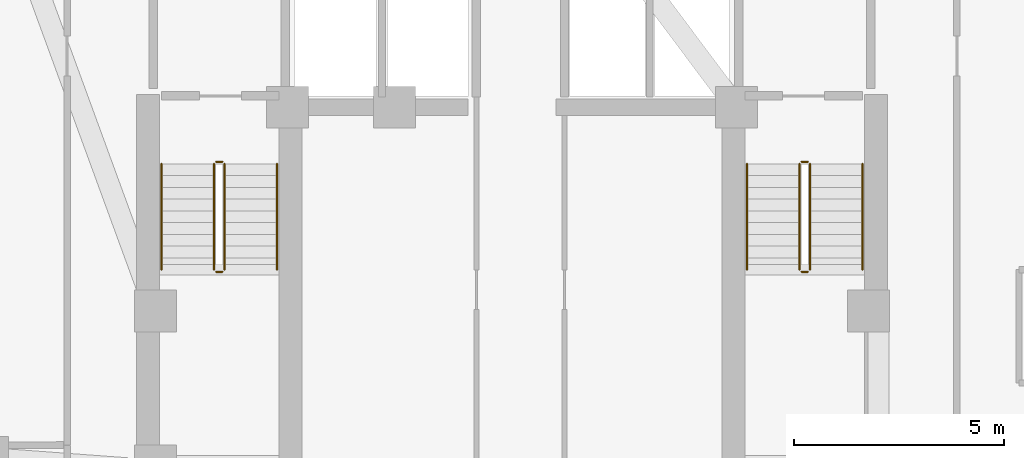
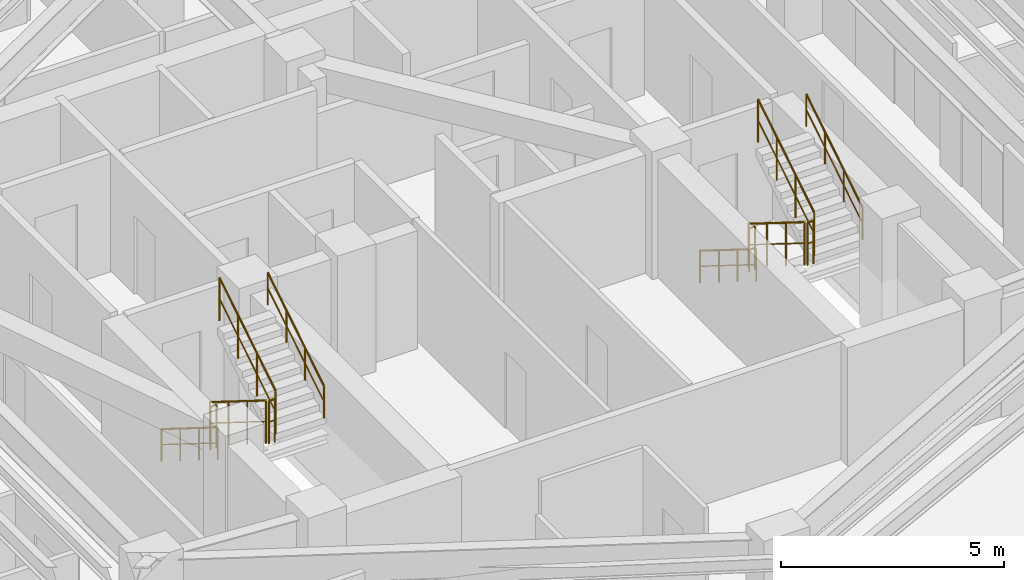
# One storey, part 14 of 14: 12 railings.
"""IFC4 building model written with IfcOpenShell, lengths in metres."""

from ifc_helpers import new_model, si_unit, direction, frame, origin, origin_2d, place, context, subcontext, project, spatial, circle, extrude, material, type_object, element, save


model = new_model("IFC4")

# Units and contexts
model_context = context("Model", 3, precision=1e-05, world=origin(), true_north=direction((0.0, 1.0)))
body_context = subcontext(model_context, "Body", "Model", "MODEL_VIEW")
ifc_project = project(units=[si_unit("LENGTHUNIT", "METRE"), si_unit("AREAUNIT", "SQUARE_METRE"), si_unit("VOLUMEUNIT", "CUBIC_METRE"), si_unit("PLANEANGLEUNIT", "RADIAN"), si_unit("MASSUNIT", "GRAM", prefix="KILO")], contexts=[model_context])

# Site, building, storey
site_placement = place(None, origin())
site = spatial("IfcSite", under=ifc_project, at=site_placement, CompositionType="ELEMENT")
building_placement = place(site_placement, origin())
building = spatial("IfcBuilding", under=site, at=building_placement, Name="Miruveldt Soraemaru", CompositionType="ELEMENT")
storey_placement = place(building_placement, frame((0.0, 0.0, 114.39990234375)))
storey = spatial("IfcBuildingStorey", under=building, at=storey_placement, Name="L31", CompositionType="ELEMENT", Elevation=114.39990234375)

# Railings
ifc_material = material(Name="Steel S355 (355 MPa)", Category="steel")
railing_type_1 = type_object("IfcRailingType", Name="RAIL-HR-900", PredefinedType="HANDRAIL", material=ifc_material)
railing_1_placement = place(storey_placement, frame((35.64990234375, 42.699951171875, 0.175048828125)))
element("IfcRailing", 1, at=railing_1_placement, inside=storey, type_object=railing_type_1, Name="L31 ST-1 stair handrail 1", PredefinedType="HANDRAIL", context=body_context, shape_type="SweptSolid", body=[
    extrude(circle(Radius=0.02392578125, at=origin_2d()), frame((0.0, 0.0, 0.8759765625), z_axis=(0.0, -0.848007534815, 0.529984170421), x_axis=(1.0, 0.0, 0.0)), (0.0, 0.0, 1.0), 2.9716796875),
    extrude(circle(Radius=0.01611328125, at=origin_2d()), frame((0.0, 0.0, 0.449951171875), z_axis=(0.0, -0.848007534815, 0.529984170421), x_axis=(1.0, 0.0, 0.0)), (0.0, 0.0, 1.0), 2.9716796875),
    extrude(circle(Radius=0.02099609375, at=origin_2d()), origin(), (0.0, 0.0, 1.0), 0.851806640625),
    extrude(circle(Radius=0.02099609375, at=origin_2d()), frame((0.0, -0.840087890625, 0.52490234375)), (0.0, 0.0, 1.0), 0.851806640625),
    extrude(circle(Radius=0.02099609375, at=origin_2d()), frame((0.0, -1.679931640625, 1.050048828125)), (0.0, 0.0, 1.0), 0.851806640625),
    extrude(circle(Radius=0.02099609375, at=origin_2d()), frame((0.0, -2.52001953125, 1.574951171875)), (0.0, 0.0, 1.0), 0.851806640625),
])
railing_2_placement = place(storey_placement, frame((38.39990234375, 40.179931640625, 1.925048828125)))
element("IfcRailing", 2, at=railing_2_placement, inside=storey, type_object=railing_type_1, Name="L31 ST-1 stair handrail 2", PredefinedType="HANDRAIL", context=body_context, shape_type="SweptSolid", body=[
    extrude(circle(Radius=0.02392578125, at=origin_2d()), frame((0.0, 0.0, 0.8759765625), z_axis=(0.0, 0.848007534815, 0.529984170421), x_axis=(-1.0, 0.0, 0.0)), (0.0, 0.0, 1.0), 2.9716796875),
    extrude(circle(Radius=0.01611328125, at=origin_2d()), frame((0.0, 0.0, 0.449951171875), z_axis=(0.0, 0.848007534815, 0.529984170421), x_axis=(-1.0, 0.0, 0.0)), (0.0, 0.0, 1.0), 2.9716796875),
    extrude(circle(Radius=0.02099609375, at=origin_2d()), origin(), (0.0, 0.0, 1.0), 0.851806640625),
    extrude(circle(Radius=0.02099609375, at=origin_2d()), frame((0.0, 0.840087890625, 0.52490234375)), (0.0, 0.0, 1.0), 0.851806640625),
    extrude(circle(Radius=0.02099609375, at=origin_2d()), frame((0.0, 1.679931640625, 1.050048828125)), (0.0, 0.0, 1.0), 0.851806640625),
    extrude(circle(Radius=0.02099609375, at=origin_2d()), frame((0.0, 2.52001953125, 1.574951171875)), (0.0, 0.0, 1.0), 0.851806640625),
])
railing_3_placement = place(storey_placement, frame((49.60009765625, 42.699951171875, 0.175048828125)))
element("IfcRailing", 3, at=railing_3_placement, inside=storey, type_object=railing_type_1, Name="L31 ST-2 stair handrail 1", PredefinedType="HANDRAIL", context=body_context, shape_type="SweptSolid", body=[
    extrude(circle(Radius=0.02392578125, at=origin_2d()), frame((0.0, 0.0, 0.8759765625), z_axis=(0.0, -0.848007534815, 0.529984170421), x_axis=(1.0, 0.0, 0.0)), (0.0, 0.0, 1.0), 2.9716796875),
    extrude(circle(Radius=0.01611328125, at=origin_2d()), frame((0.0, 0.0, 0.449951171875), z_axis=(0.0, -0.848007534815, 0.529984170421), x_axis=(1.0, 0.0, 0.0)), (0.0, 0.0, 1.0), 2.9716796875),
    extrude(circle(Radius=0.02099609375, at=origin_2d()), origin(), (0.0, 0.0, 1.0), 0.851806640625),
    extrude(circle(Radius=0.02099609375, at=origin_2d()), frame((0.0, -0.840087890625, 0.52490234375)), (0.0, 0.0, 1.0), 0.851806640625),
    extrude(circle(Radius=0.02099609375, at=origin_2d()), frame((0.0, -1.679931640625, 1.050048828125)), (0.0, 0.0, 1.0), 0.851806640625),
    extrude(circle(Radius=0.02099609375, at=origin_2d()), frame((0.0, -2.52001953125, 1.574951171875)), (0.0, 0.0, 1.0), 0.851806640625),
])
railing_4_placement = place(storey_placement, frame((52.35009765625, 40.179931640625, 1.925048828125)))
element("IfcRailing", 4, at=railing_4_placement, inside=storey, type_object=railing_type_1, Name="L31 ST-2 stair handrail 2", PredefinedType="HANDRAIL", context=body_context, shape_type="SweptSolid", body=[
    extrude(circle(Radius=0.02392578125, at=origin_2d()), frame((0.0, 0.0, 0.8759765625), z_axis=(0.0, 0.848007534815, 0.529984170421), x_axis=(-1.0, 0.0, 0.0)), (0.0, 0.0, 1.0), 2.9716796875),
    extrude(circle(Radius=0.01611328125, at=origin_2d()), frame((0.0, 0.0, 0.449951171875), z_axis=(0.0, 0.848007534815, 0.529984170421), x_axis=(-1.0, 0.0, 0.0)), (0.0, 0.0, 1.0), 2.9716796875),
    extrude(circle(Radius=0.02099609375, at=origin_2d()), origin(), (0.0, 0.0, 1.0), 0.851806640625),
    extrude(circle(Radius=0.02099609375, at=origin_2d()), frame((0.0, 0.840087890625, 0.52490234375)), (0.0, 0.0, 1.0), 0.851806640625),
    extrude(circle(Radius=0.02099609375, at=origin_2d()), frame((0.0, 1.679931640625, 1.050048828125)), (0.0, 0.0, 1.0), 0.851806640625),
    extrude(circle(Radius=0.02099609375, at=origin_2d()), frame((0.0, 2.52001953125, 1.574951171875)), (0.0, 0.0, 1.0), 0.851806640625),
])
railing_type_2 = type_object("IfcRailingType", Name="RAIL-STGUARD-1200", PredefinedType="GUARDRAIL", material=ifc_material)
railing_5_placement = place(storey_placement, frame((36.89990234375, 42.699951171875, 0.175048828125)))
element("IfcRailing", 5, at=railing_5_placement, inside=storey, type_object=railing_type_2, Name="L31 ST-1 stair guard 1", PredefinedType="GUARDRAIL", context=body_context, shape_type="SweptSolid", body=[
    extrude(circle(Radius=0.02392578125, at=origin_2d()), frame((0.0, 0.0, 1.17578125), z_axis=(0.0, -0.848007534815, 0.529984170421), x_axis=(1.0, 0.0, 0.0)), (0.0, 0.0, 1.0), 2.9716796875),
    extrude(circle(Radius=0.01611328125, at=origin_2d()), frame((0.0, 0.0, 0.60009765625), z_axis=(0.0, -0.848007534815, 0.529984170421), x_axis=(1.0, 0.0, 0.0)), (0.0, 0.0, 1.0), 2.9716796875),
    extrude(circle(Radius=0.02099609375, at=origin_2d()), origin(), (0.0, 0.0, 1.0), 1.15185546875),
    extrude(circle(Radius=0.02099609375, at=origin_2d()), frame((0.0, -0.840087890625, 0.52490234375)), (0.0, 0.0, 1.0), 1.15185546875),
    extrude(circle(Radius=0.02099609375, at=origin_2d()), frame((0.0, -1.679931640625, 1.050048828125)), (0.0, 0.0, 1.0), 1.15185546875),
    extrude(circle(Radius=0.02099609375, at=origin_2d()), frame((0.0, -2.52001953125, 1.574951171875)), (0.0, 0.0, 1.0), 1.15185546875),
])
railing_6_placement = place(storey_placement, frame((36.949951171875, 40.1298828125, 1.75)))
element("IfcRailing", 6, at=railing_6_placement, inside=storey, type_object=railing_type_2, Name="L31 ST-1 stair guard 2", PredefinedType="GUARDRAIL", context=body_context, shape_type="SweptSolid", body=[
    extrude(circle(Radius=0.02392578125, at=origin_2d()), frame((0.0, 0.0, 1.17578125), z_axis=(1.0, 0.0, 0.0), x_axis=(0.0, 1.0, 0.0)), (0.0, 0.0, 1.0), 0.150146484375),
    extrude(circle(Radius=0.01611328125, at=origin_2d()), frame((0.0, 0.0, 0.60009765625), z_axis=(1.0, 0.0, 0.0), x_axis=(0.0, 1.0, 0.0)), (0.0, 0.0, 1.0), 0.150146484375),
    extrude(circle(Radius=0.02099609375, at=origin_2d()), origin(), (0.0, 0.0, 1.0), 1.15185546875),
    extrude(circle(Radius=0.02099609375, at=origin_2d()), frame((0.150146484375, 0.0, 0.0)), (0.0, 0.0, 1.0), 1.15185546875),
])
railing_7_placement = place(storey_placement, frame((37.14990234375, 40.179931640625, 1.925048828125)))
element("IfcRailing", 7, at=railing_7_placement, inside=storey, type_object=railing_type_2, Name="L31 ST-1 stair guard 3", PredefinedType="GUARDRAIL", context=body_context, shape_type="SweptSolid", body=[
    extrude(circle(Radius=0.02392578125, at=origin_2d()), frame((0.0, 0.0, 1.17578125), z_axis=(0.0, 0.848007534815, 0.529984170421), x_axis=(-1.0, 0.0, 0.0)), (0.0, 0.0, 1.0), 2.9716796875),
    extrude(circle(Radius=0.01611328125, at=origin_2d()), frame((0.0, 0.0, 0.60009765625), z_axis=(0.0, 0.848007534815, 0.529984170421), x_axis=(-1.0, 0.0, 0.0)), (0.0, 0.0, 1.0), 2.9716796875),
    extrude(circle(Radius=0.02099609375, at=origin_2d()), origin(), (0.0, 0.0, 1.0), 1.15185546875),
    extrude(circle(Radius=0.02099609375, at=origin_2d()), frame((0.0, 0.840087890625, 0.52490234375)), (0.0, 0.0, 1.0), 1.15185546875),
    extrude(circle(Radius=0.02099609375, at=origin_2d()), frame((0.0, 1.679931640625, 1.050048828125)), (0.0, 0.0, 1.0), 1.15185546875),
    extrude(circle(Radius=0.02099609375, at=origin_2d()), frame((0.0, 2.52001953125, 1.574951171875)), (0.0, 0.0, 1.0), 1.15185546875),
])
railing_8_placement = place(storey_placement, frame((36.949951171875, 42.75, 0.0)))
element("IfcRailing", 8, at=railing_8_placement, inside=storey, type_object=railing_type_2, Name="L31 ST-1 stair guard 4", PredefinedType="GUARDRAIL", context=body_context, shape_type="SweptSolid", body=[
    extrude(circle(Radius=0.02392578125, at=origin_2d()), frame((0.0, 0.0, 1.17578125), z_axis=(1.0, 0.0, 0.0), x_axis=(0.0, 1.0, 0.0)), (0.0, 0.0, 1.0), 0.150146484375),
    extrude(circle(Radius=0.01611328125, at=origin_2d()), frame((0.0, 0.0, 0.60009765625), z_axis=(1.0, 0.0, 0.0), x_axis=(0.0, 1.0, 0.0)), (0.0, 0.0, 1.0), 0.150146484375),
    extrude(circle(Radius=0.02099609375, at=origin_2d()), origin(), (0.0, 0.0, 1.0), 1.15185546875),
    extrude(circle(Radius=0.02099609375, at=origin_2d()), frame((0.150146484375, 0.0, 0.0)), (0.0, 0.0, 1.0), 1.15185546875),
])
railing_9_placement = place(storey_placement, frame((50.85009765625, 42.699951171875, 0.175048828125)))
element("IfcRailing", 9, at=railing_9_placement, inside=storey, type_object=railing_type_2, Name="L31 ST-2 stair guard 1", PredefinedType="GUARDRAIL", context=body_context, shape_type="SweptSolid", body=[
    extrude(circle(Radius=0.02392578125, at=origin_2d()), frame((0.0, 0.0, 1.17578125), z_axis=(0.0, -0.848007534815, 0.529984170421), x_axis=(1.0, 0.0, 0.0)), (0.0, 0.0, 1.0), 2.9716796875),
    extrude(circle(Radius=0.01611328125, at=origin_2d()), frame((0.0, 0.0, 0.60009765625), z_axis=(0.0, -0.848007534815, 0.529984170421), x_axis=(1.0, 0.0, 0.0)), (0.0, 0.0, 1.0), 2.9716796875),
    extrude(circle(Radius=0.02099609375, at=origin_2d()), origin(), (0.0, 0.0, 1.0), 1.15185546875),
    extrude(circle(Radius=0.02099609375, at=origin_2d()), frame((0.0, -0.840087890625, 0.52490234375)), (0.0, 0.0, 1.0), 1.15185546875),
    extrude(circle(Radius=0.02099609375, at=origin_2d()), frame((0.0, -1.679931640625, 1.050048828125)), (0.0, 0.0, 1.0), 1.15185546875),
    extrude(circle(Radius=0.02099609375, at=origin_2d()), frame((0.0, -2.52001953125, 1.574951171875)), (0.0, 0.0, 1.0), 1.15185546875),
])
railing_10_placement = place(storey_placement, frame((50.89990234375, 40.1298828125, 1.75)))
element("IfcRailing", 10, at=railing_10_placement, inside=storey, type_object=railing_type_2, Name="L31 ST-2 stair guard 2", PredefinedType="GUARDRAIL", context=body_context, shape_type="SweptSolid", body=[
    extrude(circle(Radius=0.02392578125, at=origin_2d()), frame((0.0, 0.0, 1.17578125), z_axis=(1.0, 0.0, 0.0), x_axis=(0.0, 1.0, 0.0)), (0.0, 0.0, 1.0), 0.150146484375),
    extrude(circle(Radius=0.01611328125, at=origin_2d()), frame((0.0, 0.0, 0.60009765625), z_axis=(1.0, 0.0, 0.0), x_axis=(0.0, 1.0, 0.0)), (0.0, 0.0, 1.0), 0.150146484375),
    extrude(circle(Radius=0.02099609375, at=origin_2d()), origin(), (0.0, 0.0, 1.0), 1.15185546875),
    extrude(circle(Radius=0.02099609375, at=origin_2d()), frame((0.150146484375, 0.0, 0.0)), (0.0, 0.0, 1.0), 1.15185546875),
])
railing_11_placement = place(storey_placement, frame((51.10009765625, 40.179931640625, 1.925048828125)))
element("IfcRailing", 11, at=railing_11_placement, inside=storey, type_object=railing_type_2, Name="L31 ST-2 stair guard 3", PredefinedType="GUARDRAIL", context=body_context, shape_type="SweptSolid", body=[
    extrude(circle(Radius=0.02392578125, at=origin_2d()), frame((0.0, 0.0, 1.17578125), z_axis=(0.0, 0.848007534815, 0.529984170421), x_axis=(-1.0, 0.0, 0.0)), (0.0, 0.0, 1.0), 2.9716796875),
    extrude(circle(Radius=0.01611328125, at=origin_2d()), frame((0.0, 0.0, 0.60009765625), z_axis=(0.0, 0.848007534815, 0.529984170421), x_axis=(-1.0, 0.0, 0.0)), (0.0, 0.0, 1.0), 2.9716796875),
    extrude(circle(Radius=0.02099609375, at=origin_2d()), origin(), (0.0, 0.0, 1.0), 1.15185546875),
    extrude(circle(Radius=0.02099609375, at=origin_2d()), frame((0.0, 0.840087890625, 0.52490234375)), (0.0, 0.0, 1.0), 1.15185546875),
    extrude(circle(Radius=0.02099609375, at=origin_2d()), frame((0.0, 1.679931640625, 1.050048828125)), (0.0, 0.0, 1.0), 1.15185546875),
    extrude(circle(Radius=0.02099609375, at=origin_2d()), frame((0.0, 2.52001953125, 1.574951171875)), (0.0, 0.0, 1.0), 1.15185546875),
])
railing_12_placement = place(storey_placement, frame((50.89990234375, 42.75, 0.0)))
element("IfcRailing", 12, at=railing_12_placement, inside=storey, type_object=railing_type_2, Name="L31 ST-2 stair guard 4", PredefinedType="GUARDRAIL", context=body_context, shape_type="SweptSolid", body=[
    extrude(circle(Radius=0.02392578125, at=origin_2d()), frame((0.0, 0.0, 1.17578125), z_axis=(1.0, 0.0, 0.0), x_axis=(0.0, 1.0, 0.0)), (0.0, 0.0, 1.0), 0.150146484375),
    extrude(circle(Radius=0.01611328125, at=origin_2d()), frame((0.0, 0.0, 0.60009765625), z_axis=(1.0, 0.0, 0.0), x_axis=(0.0, 1.0, 0.0)), (0.0, 0.0, 1.0), 0.150146484375),
    extrude(circle(Radius=0.02099609375, at=origin_2d()), origin(), (0.0, 0.0, 1.0), 1.15185546875),
    extrude(circle(Radius=0.02099609375, at=origin_2d()), frame((0.150146484375, 0.0, 0.0)), (0.0, 0.0, 1.0), 1.15185546875),
])

save(model, "model.ifc")
